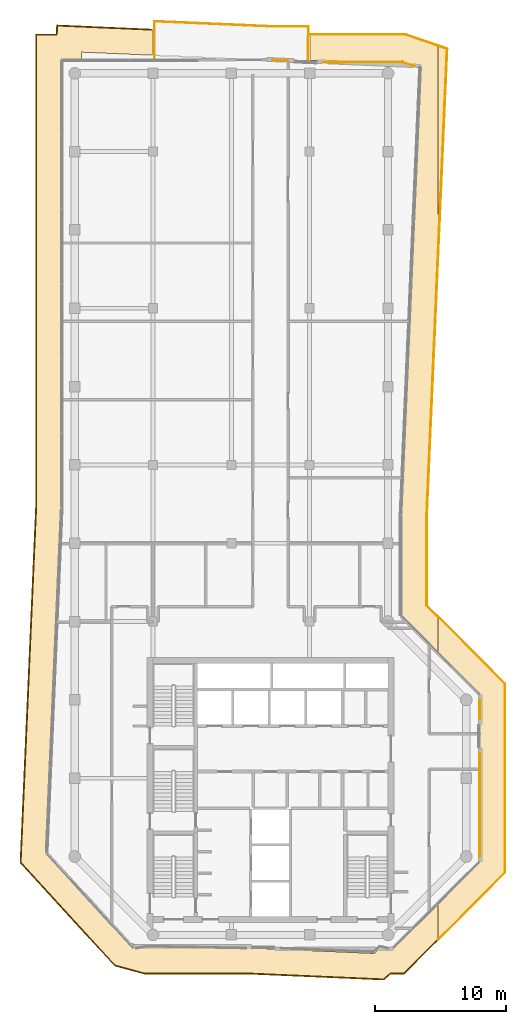
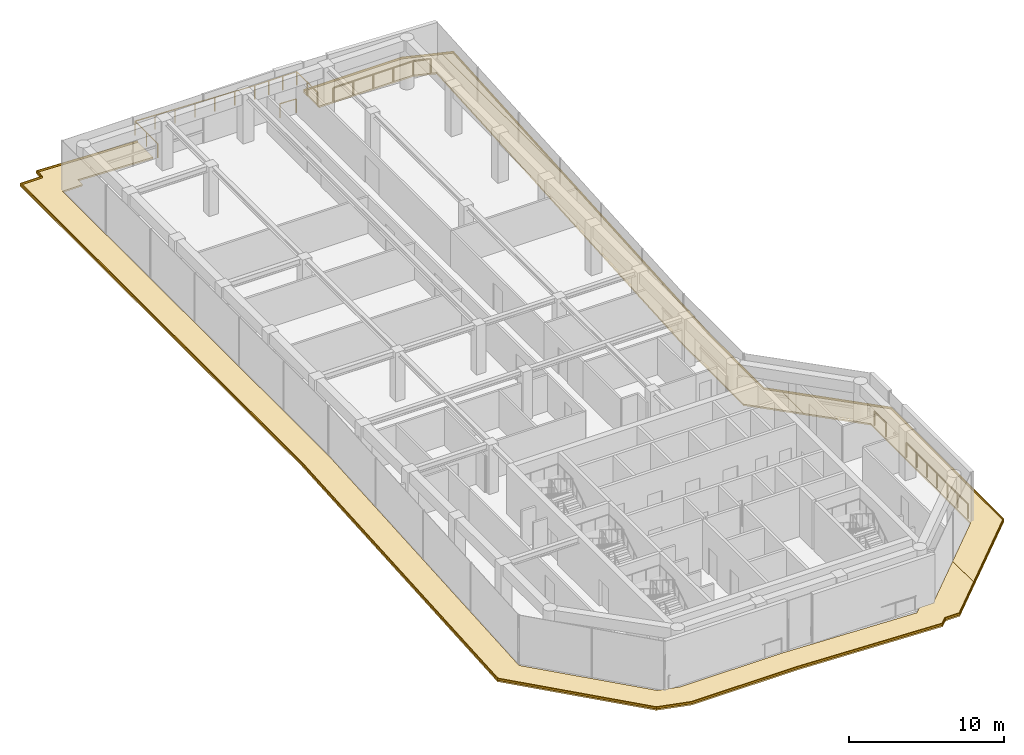
# One storey, part 20 of 20: 9 coverings, 5 railings.
"""IFC4 building model written with IfcOpenShell, lengths in metres."""

from ifc_helpers import new_model, si_unit, direction, frame, origin, origin_2d, place, context, subcontext, project, spatial, polyline, circle, outline, extrude, material, layer, layer_set, type_object, element, save


model = new_model("IFC4")

# Units and contexts
model_context = context("Model", 3, precision=1e-05, world=origin(), true_north=direction((0.0, 1.0)))
body_context = subcontext(model_context, "Body", "Model", "MODEL_VIEW")
ifc_project = project(units=[si_unit("LENGTHUNIT", "METRE"), si_unit("AREAUNIT", "SQUARE_METRE"), si_unit("VOLUMEUNIT", "CUBIC_METRE"), si_unit("PLANEANGLEUNIT", "RADIAN"), si_unit("MASSUNIT", "GRAM", prefix="KILO")], contexts=[model_context])

# Site, building, storey
site_placement = place(None, origin())
site = spatial("IfcSite", under=ifc_project, at=site_placement, CompositionType="ELEMENT")
building_placement = place(site_placement, origin())
building = spatial("IfcBuilding", under=site, at=building_placement, Name="Welwitschia Terrace Campus", CompositionType="ELEMENT")
storey_placement = place(building_placement, frame((0.0, 0.0, 239.0)))
storey = spatial("IfcBuildingStorey", under=building, at=storey_placement, Name="L53", CompositionType="ELEMENT", Elevation=239.0)

# Railings
ifc_material_1 = material(Name="Stainless steel grade 316", Category="steel")
railing_type = type_object("IfcRailingType", Name="Guard 1100", PredefinedType="GUARDRAIL", material=ifc_material_1)
railing_1_placement = place(storey_placement, frame((6.10009765625, 71.030029296875, 0.0)))
element("IfcRailing", 1, at=railing_1_placement, inside=storey, type_object=railing_type, Name="Guard terrace L53:0:0.0", PredefinedType="GUARDRAIL", context=body_context, shape_type="SweptSolid", body=[
    extrude(circle(Radius=0.02392578125, at=origin_2d()), frame((0.0, 0.0, 1.076171875), z_axis=(0.0, 1.0, 0.0), x_axis=(-1.0, 0.0, 0.0)), (0.0, 0.0, 1.0), 2.94921875),
    extrude(circle(Radius=0.02392578125, at=origin_2d()), frame((0.0, 2.94921875, 1.076171875), z_axis=(0.999048406036, -0.043615162471, 0.0), x_axis=(0.043615162471, 0.999048406036, 0.0)), (0.0, 0.0, 1.0), 8.693115234375),
    extrude(circle(Radius=0.02392578125, at=origin_2d()), frame((8.684814453125, 2.570068359375, 1.076171875), z_axis=(1.0, 0.0, 0.0), x_axis=(0.0, 1.0, 0.0)), (0.0, 0.0, 1.0), 3.114990234375),
    extrude(circle(Radius=0.02392578125, at=origin_2d()), frame((11.7998046875, 2.570068359375, 1.076171875), z_axis=(-0.003693335768, -0.999993179612, 0.0), x_axis=(0.999993179612, -0.003693335768, 0.0)), (0.0, 0.0, 1.0), 2.710205078125),
    extrude(circle(Radius=0.02099609375, at=origin_2d()), origin(), (0.0, 0.0, 1.0), 1.052001953125),
    extrude(circle(Radius=0.02099609375, at=origin_2d()), frame((0.0, 1.474609375, 0.0)), (0.0, 0.0, 1.0), 1.052001953125),
    extrude(circle(Radius=0.02099609375, at=origin_2d()), frame((0.0, 2.94921875, 0.0)), (0.0, 0.0, 1.0), 1.052001953125),
    extrude(circle(Radius=0.02099609375, at=origin_2d()), frame((1.447509765625, 2.885986328125, 0.0)), (0.0, 0.0, 1.0), 1.052001953125),
    extrude(circle(Radius=0.02099609375, at=origin_2d()), frame((2.89501953125, 2.82275390625, 0.0)), (0.0, 0.0, 1.0), 1.052001953125),
    extrude(circle(Radius=0.02099609375, at=origin_2d()), frame((4.34228515625, 2.759765625, 0.0)), (0.0, 0.0, 1.0), 1.052001953125),
    extrude(circle(Radius=0.02099609375, at=origin_2d()), frame((5.789794921875, 2.696533203125, 0.0)), (0.0, 0.0, 1.0), 1.052001953125),
    extrude(circle(Radius=0.02099609375, at=origin_2d()), frame((7.2373046875, 2.63330078125, 0.0)), (0.0, 0.0, 1.0), 1.052001953125),
    extrude(circle(Radius=0.02099609375, at=origin_2d()), frame((8.684814453125, 2.570068359375, 0.0)), (0.0, 0.0, 1.0), 1.052001953125),
    extrude(circle(Radius=0.02099609375, at=origin_2d()), frame((9.72314453125, 2.570068359375, 0.0)), (0.0, 0.0, 1.0), 1.052001953125),
    extrude(circle(Radius=0.02099609375, at=origin_2d()), frame((10.761474609375, 2.570068359375, 0.0)), (0.0, 0.0, 1.0), 1.052001953125),
    extrude(circle(Radius=0.02099609375, at=origin_2d()), frame((11.7998046875, 2.570068359375, 0.0)), (0.0, 0.0, 1.0), 1.052001953125),
    extrude(circle(Radius=0.02099609375, at=origin_2d()), frame((11.794921875, 1.21484375, 0.0)), (0.0, 0.0, 1.0), 1.052001953125),
    extrude(circle(Radius=0.02099609375, at=origin_2d()), frame((11.789794921875, -0.14013671875, 0.0)), (0.0, 0.0, 1.0), 1.052001953125),
])
railing_2_placement = place(storey_placement, frame((15.158447265625, 71.010986328125, 0.0)))
element("IfcRailing", 2, at=railing_2_placement, inside=storey, type_object=railing_type, Name="Guard floor edge L53.1", PredefinedType="GUARDRAIL", context=body_context, shape_type="SweptSolid", body=[
    extrude(circle(Radius=0.02392578125, at=origin_2d()), frame((0.0, 0.0, 1.076171875), z_axis=(0.999020318503, -0.044253849754, 0.0), x_axis=(0.044253849754, 0.999020318503, 0.0)), (0.0, 0.0, 1.0), 1.1806640625),
    extrude(circle(Radius=0.02099609375, at=origin_2d()), origin(), (0.0, 0.0, 1.0), 1.052001953125),
    extrude(circle(Radius=0.02099609375, at=origin_2d()), frame((1.179443359375, -0.05224609375, 0.0)), (0.0, 0.0, 1.0), 1.052001953125),
])
railing_3_placement = place(storey_placement, frame((19.02587890625, 70.839599609375, 0.0)))
element("IfcRailing", 3, at=railing_3_placement, inside=storey, type_object=railing_type, Name="Guard floor edge L53.3", PredefinedType="GUARDRAIL", context=body_context, shape_type="SweptSolid", body=[
    extrude(circle(Radius=0.02392578125, at=origin_2d()), frame((0.0, 0.0, 1.076171875), z_axis=(0.999977113962, 0.006765467599, 0.0), x_axis=(-0.006765467599, 0.999977113962, 0.0)), (0.0, 0.0, 1.0), 5.954345703125),
    extrude(circle(Radius=0.02392578125, at=origin_2d()), frame((5.9541015625, 0.040283203125, 1.076171875), z_axis=(0.952294092285, -0.305181850377, 0.0), x_axis=(0.305181850377, 0.952294092285, 0.0)), (0.0, 0.0, 1.0), 1.156005859375),
    extrude(circle(Radius=0.02099609375, at=origin_2d()), origin(), (0.0, 0.0, 1.0), 1.052001953125),
    extrude(circle(Radius=0.02099609375, at=origin_2d()), frame((1.488525390625, 0.010009765625, 0.0)), (0.0, 0.0, 1.0), 1.052001953125),
    extrude(circle(Radius=0.02099609375, at=origin_2d()), frame((2.97705078125, 0.02001953125, 0.0)), (0.0, 0.0, 1.0), 1.052001953125),
    extrude(circle(Radius=0.02099609375, at=origin_2d()), frame((4.465576171875, 0.0302734375, 0.0)), (0.0, 0.0, 1.0), 1.052001953125),
    extrude(circle(Radius=0.02099609375, at=origin_2d()), frame((5.9541015625, 0.040283203125, 0.0)), (0.0, 0.0, 1.0), 1.052001953125),
    extrude(circle(Radius=0.02099609375, at=origin_2d()), frame((7.054931640625, -0.3125, 0.0)), (0.0, 0.0, 1.0), 1.052001953125),
])
railing_4_placement = place(storey_placement, frame((31.030029296875, 17.8896484375, 0.0)))
element("IfcRailing", 4, at=railing_4_placement, inside=storey, type_object=railing_type, Name="Guard floor edge L53.4", PredefinedType="GUARDRAIL", context=body_context, shape_type="SweptSolid", body=[
    extrude(circle(Radius=0.02392578125, at=origin_2d()), frame((0.0, 0.0, 1.076171875), z_axis=(0.0, -1.0, 0.0), x_axis=(1.0, 0.0, 0.0)), (0.0, 0.0, 1.0), 7.892578125),
    extrude(circle(Radius=0.02099609375, at=origin_2d()), origin(), (0.0, 0.0, 1.0), 1.052001953125),
    extrude(circle(Radius=0.02099609375, at=origin_2d()), frame((0.0, -1.3154296875, 0.0)), (0.0, 0.0, 1.0), 1.052001953125),
    extrude(circle(Radius=0.02099609375, at=origin_2d()), frame((0.0, -2.630859375, 0.0)), (0.0, 0.0, 1.0), 1.052001953125),
    extrude(circle(Radius=0.02099609375, at=origin_2d()), frame((0.0, -3.9462890625, 0.0)), (0.0, 0.0, 1.0), 1.052001953125),
    extrude(circle(Radius=0.02099609375, at=origin_2d()), frame((0.0, -5.26171875, 0.0)), (0.0, 0.0, 1.0), 1.052001953125),
    extrude(circle(Radius=0.02099609375, at=origin_2d()), frame((0.0, -6.5771484375, 0.0)), (0.0, 0.0, 1.0), 1.052001953125),
    extrude(circle(Radius=0.02099609375, at=origin_2d()), frame((0.0, -7.892578125, 0.0)), (0.0, 0.0, 1.0), 1.052001953125),
])
railing_5_placement = place(storey_placement, frame((31.030029296875, 22.0029296875, 0.0)))
element("IfcRailing", 5, at=railing_5_placement, inside=storey, type_object=railing_type, Name="Guard floor edge L53.5", PredefinedType="GUARDRAIL", context=body_context, shape_type="SweptSolid", body=[
    extrude(circle(Radius=0.02392578125, at=origin_2d()), frame((0.0, 0.0, 1.076171875), z_axis=(0.0, -1.0, 0.0), x_axis=(1.0, 0.0, 0.0)), (0.0, 0.0, 1.0), 1.4658203125),
    extrude(circle(Radius=0.02099609375, at=origin_2d()), origin(), (0.0, 0.0, 1.0), 1.052001953125),
    extrude(circle(Radius=0.02099609375, at=origin_2d()), frame((0.0, -1.4658203125, 0.0)), (0.0, 0.0, 1.0), 1.052001953125),
])

# Coverings
ifc_material_2 = material(Name="Bronze anodised aluminium", Category="aluminium")
ifc_layer_1 = layer(ifc_material_2, 0.1201171875)
ifc_layer_set_1 = layer_set([ifc_layer_1], Name="Bronze anodised aluminium")
covering_type_1 = type_object("IfcCoveringType", Name="Sunshade band 2000", PredefinedType="USERDEFINED", material=ifc_layer_set_1)
covering_1_placement = place(storey_placement, frame((0.0, 0.0, -0.25)))
element("IfcCovering", 6, at=covering_1_placement, inside=storey, type_object=covering_type_1, Name="SUNSHADE L53.SW0", ObjectType="SUNSHADE", PredefinedType="USERDEFINED", context=body_context, shape_type="SweptSolid", body=[
    extrude(outline(polyline([(5.949951171875, 73.38525390625), (5.949951171875, 71.38330078125), (0.52392578125, 71.6201171875), (0.496826171875, 71.0), (-1.0, 71.0), (-1.0, 36.71484375), (-2.15478515625, 10.264404296875), (4.137451171875, 3.397705078125), (5.585693359375, 3.0), (13.244384765625, 3.0), (22.947998046875, 2.576416015625), (23.410400390625, 3.0), (24.414306640625, 3.0), (27.84521484375, 6.430908203125), (27.84521484375, 3.6025390625), (25.24267578125, 1.0), (24.18798828125, 1.0), (23.688232421875, 0.5419921875), (13.20068359375, 1.0), (5.316162109375, 1.0), (3.05224609375, 1.62158203125), (-4.189208984375, 9.52392578125), (-3.0, 36.758544921875), (-3.0, 73.0), (-1.417724609375, 73.0), (-1.386962890625, 73.70556640625), (5.949951171875, 73.38525390625)])), origin(), (0.0, 0.0, 1.0), 0.1201171875),
])
covering_2_placement = place(storey_placement, frame((0.0, 0.0, -0.25)))
element("IfcCovering", 7, at=covering_2_placement, inside=storey, type_object=covering_type_1, Name="SUNSHADE L53.SW1", ObjectType="SUNSHADE", PredefinedType="USERDEFINED", context=body_context, shape_type="SweptSolid", body=[
    extrude(outline(polyline([(25.0, 28.414306640625), (25.0, 36.1474609375), (26.499267578125, 70.486083984375), (25.0, 71.0), (18.050048828125, 71.0), (18.050048828125, 73.0), (25.333251953125, 73.0), (27.84521484375, 72.138916015625), (27.84521484375, 55.4609375), (27.0, 36.103759765625), (27.0, 29.24267578125), (27.84521484375, 28.3974609375), (27.84521484375, 25.569091796875), (25.0, 28.414306640625)])), origin(), (0.0, 0.0, 1.0), 0.1201171875),
])
covering_3_placement = place(storey_placement, frame((0.0, 0.0, -0.25)))
element("IfcCovering", 8, at=covering_3_placement, inside=storey, type_object=covering_type_1, Name="SUNSHADE L53.SE0", ObjectType="SUNSHADE", PredefinedType="USERDEFINED", context=body_context, shape_type="SweptSolid", body=[
    extrude(outline(polyline([(31.0, 9.585693359375), (31.0, 22.414306640625), (27.84521484375, 25.569091796875), (27.84521484375, 28.3974609375), (33.0, 23.24267578125), (33.0, 8.75732421875), (27.84521484375, 3.6025390625), (27.84521484375, 6.430908203125), (31.0, 9.585693359375)])), origin(), (0.0, 0.0, 1.0), 0.1201171875),
])
covering_4_placement = place(storey_placement, frame((0.0, 0.0, -0.25)))
element("IfcCovering", 9, at=covering_4_placement, inside=storey, type_object=covering_type_1, Name="SUNSHADE L53.SE1", ObjectType="SUNSHADE", PredefinedType="USERDEFINED", context=body_context, shape_type="SweptSolid", body=[
    extrude(outline(polyline([(28.5625, 71.89306640625), (27.84521484375, 55.4609375), (27.84521484375, 72.138916015625), (28.5625, 71.89306640625)])), origin(), (0.0, 0.0, 1.0), 0.1201171875),
])
ifc_material_3 = material(Name="Bronze anodised aluminium", Category="aluminium")
ifc_layer_2 = layer(ifc_material_3, 0.06005859375)
ifc_layer_set_2 = layer_set([ifc_layer_2], Name="Bronze anodised aluminium")
covering_type_2 = type_object("IfcCoveringType", Name="Sunshade lip 60", PredefinedType="USERDEFINED", material=ifc_layer_set_2)
covering_5_placement = place(storey_placement, frame((0.0, 0.0, -0.1298828125)))
element("IfcCovering", 10, at=covering_5_placement, inside=storey, type_object=covering_type_2, Name="SUNSHADE LIP L53.SW0.0", ObjectType="SUNSHADE", PredefinedType="USERDEFINED", context=body_context, shape_type="SweptSolid", body=[
    extrude(outline(polyline([(5.949951171875, 73.3251953125), (-1.32958984375, 73.642822265625), (-1.360107421875, 72.93994140625), (-2.93994140625, 72.93994140625), (-2.93994140625, 36.757080078125), (-4.128173828125, 9.546142578125), (3.084716796875, 1.6748046875), (5.32421875, 1.06005859375), (13.2021484375, 1.06005859375), (23.666015625, 0.60302734375), (24.164794921875, 1.06005859375), (25.2177734375, 1.06005859375), (27.84521484375, 3.6875), (27.84521484375, 3.6025390625), (25.24267578125, 1.0), (24.18798828125, 1.0), (23.688232421875, 0.5419921875), (13.20068359375, 1.0), (5.316162109375, 1.0), (3.05224609375, 1.62158203125), (-4.189208984375, 9.52392578125), (-3.0, 36.758544921875), (-3.0, 73.0), (-1.417724609375, 73.0), (-1.386962890625, 73.70556640625), (5.949951171875, 73.38525390625), (5.949951171875, 73.3251953125)])), origin(), (0.0, 0.0, 1.0), 0.1298828125),
])
covering_6_placement = place(storey_placement, frame((0.0, 0.0, -0.1298828125)))
element("IfcCovering", 11, at=covering_6_placement, inside=storey, type_object=covering_type_2, Name="SUNSHADE LIP L53.SW1.0", ObjectType="SUNSHADE", PredefinedType="USERDEFINED", context=body_context, shape_type="SweptSolid", body=[
    extrude(outline(polyline([(18.050048828125, 73.0), (25.333251953125, 73.0), (27.84521484375, 72.138916015625), (27.84521484375, 72.075439453125), (25.3232421875, 72.93994140625), (18.050048828125, 72.93994140625), (18.050048828125, 73.0)])), origin(), (0.0, 0.0, 1.0), 0.1298828125),
])
covering_7_placement = place(storey_placement, frame((0.0, 0.0, -0.1298828125)))
element("IfcCovering", 12, at=covering_7_placement, inside=storey, type_object=covering_type_2, Name="SUNSHADE LIP L53.SW1.1", ObjectType="SUNSHADE", PredefinedType="USERDEFINED", context=body_context, shape_type="SweptSolid", body=[
    extrude(outline(polyline([(27.84521484375, 55.4609375), (27.0, 36.103759765625), (27.0, 29.24267578125), (27.84521484375, 28.3974609375), (27.84521484375, 28.3125), (26.93994140625, 29.2177734375), (26.93994140625, 36.105224609375), (27.84521484375, 56.83642578125), (27.84521484375, 55.4609375)])), origin(), (0.0, 0.0, 1.0), 0.1298828125),
])
covering_8_placement = place(storey_placement, frame((0.0, 0.0, -0.1298828125)))
element("IfcCovering", 13, at=covering_8_placement, inside=storey, type_object=covering_type_2, Name="SUNSHADE LIP L53.SE0.0", ObjectType="SUNSHADE", PredefinedType="USERDEFINED", context=body_context, shape_type="SweptSolid", body=[
    extrude(outline(polyline([(27.84521484375, 28.3974609375), (33.0, 23.24267578125), (33.0, 8.75732421875), (27.84521484375, 3.6025390625), (27.84521484375, 3.6875), (32.93994140625, 8.7822265625), (32.93994140625, 23.2177734375), (27.84521484375, 28.3125), (27.84521484375, 28.3974609375)])), origin(), (0.0, 0.0, 1.0), 0.1298828125),
])
covering_9_placement = place(storey_placement, frame((0.0, 0.0, -0.1298828125)))
element("IfcCovering", 14, at=covering_9_placement, inside=storey, type_object=covering_type_2, Name="SUNSHADE LIP L53.SE1.0", ObjectType="SUNSHADE", PredefinedType="USERDEFINED", context=body_context, shape_type="SweptSolid", body=[
    extrude(outline(polyline([(27.84521484375, 55.4609375), (27.84521484375, 56.83642578125), (28.500732421875, 71.850830078125), (27.84521484375, 72.075439453125), (27.84521484375, 72.138916015625), (28.5625, 71.89306640625), (27.84521484375, 55.4609375)])), origin(), (0.0, 0.0, 1.0), 0.1298828125),
])

save(model, "model.ifc")
